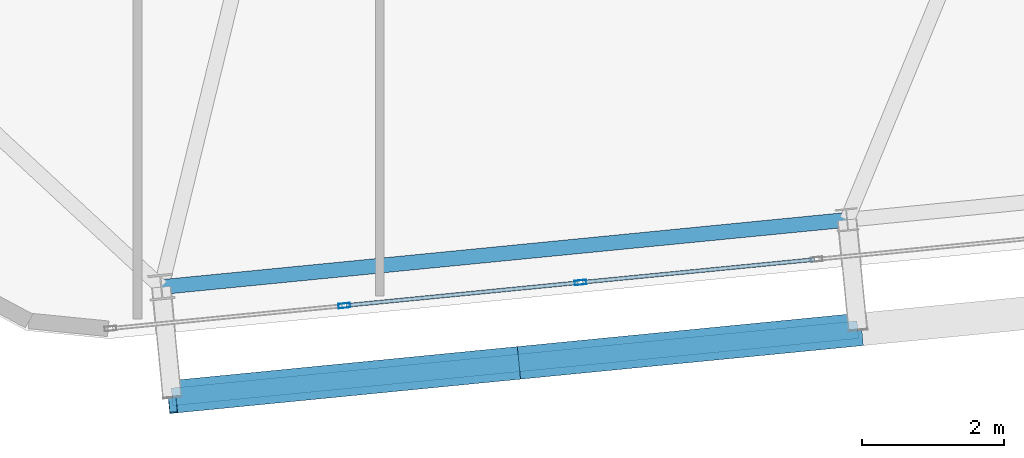
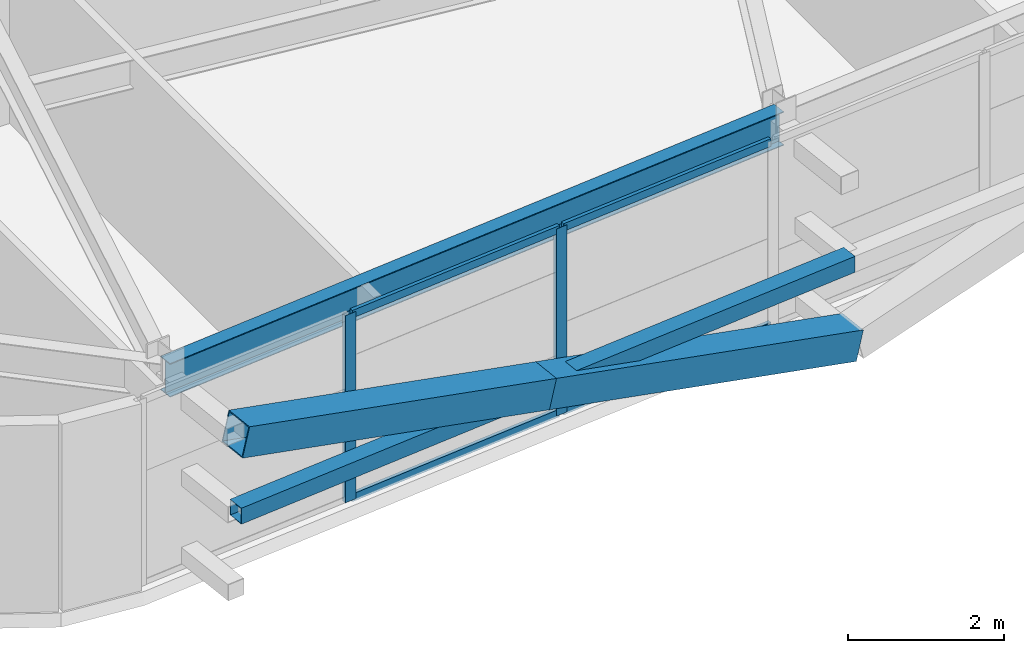
# One storey, part 6 of 52: 9 members, 1 beam, 1 element without a shape of its own.
"""IFC4 building model written with IfcOpenShell, lengths in metres."""

from ifc_helpers import new_model, si_unit, direction, frame, origin, origin_2d, place, context, subcontext, project, spatial, hollow_rectangle, i_section, extrude, source, transform, mapped, material, layer, layer_set, material_profile, profile_set, type_object, element, aggregate, save


model = new_model("IFC4")

# Units and contexts
model_context = context("Model", 3, precision=1e-05, world=origin(), true_north=direction((0.0, 1.0)))
body_context = subcontext(model_context, "Body", "Model", "MODEL_VIEW")
ifc_project = project(units=[si_unit("LENGTHUNIT", "METRE"), si_unit("AREAUNIT", "SQUARE_METRE"), si_unit("VOLUMEUNIT", "CUBIC_METRE"), si_unit("PLANEANGLEUNIT", "RADIAN"), si_unit("MASSUNIT", "GRAM", prefix="KILO")], contexts=[model_context])

# Site, building, storey
site_placement = place(None, origin())
site = spatial("IfcSite", under=ifc_project, at=site_placement, CompositionType="ELEMENT")
building_placement = place(site_placement, origin())
building = spatial("IfcBuilding", under=site, at=building_placement, Name="Taldren Reach Tower", CompositionType="ELEMENT")
storey_placement = place(building_placement, frame((0.0, 0.0, 96.60009765625)))
storey = spatial("IfcBuildingStorey", under=building, at=storey_placement, Name="L29", CompositionType="ELEMENT", Elevation=96.60009765625)

# Beam
ifc_material_1 = material(Name="Steel Gr 350 (350PLUS)", Category="steel")
ifc_material_profile_1 = material_profile(ifc_material_1, i_section(OverallWidth=0.208984375, OverallDepth=0.528076171875, WebThickness=0.009521484375, FlangeThickness=0.01318359375, at=origin_2d()), Name="530UB82.0")
ifc_profile_set_1 = profile_set([ifc_material_profile_1], Name="Steel Gr 350 (350PLUS)")
beam_type = type_object("IfcBeamType", Name="SP-UB530B", PredefinedType="SPANDREL", material=ifc_profile_set_1)
shared_shape_1 = source(origin(), body_context, "Body", "SweptSolid", [
    extrude(i_section(OverallWidth=0.208984375, OverallDepth=0.528076171875, WebThickness=0.009521484375, FlangeThickness=0.01318359375, at=origin_2d()), origin(), (0.0, 0.0, 1.0), 9.679931640625),
])
beam_placement = place(storey_placement, frame((14.93408203125, -0.079833984375, 2.666015625), z_axis=(0.995227612658, 0.097580730699, 0.0), x_axis=(-0.097580730699, 0.995227612658, 0.0)))
element("IfcBeam", 1, at=beam_placement, inside=storey, type_object=beam_type, Name="Perimeter spandrel B2 S1-S2 L29", PredefinedType="SPANDREL", context=body_context, shape_type="MappedRepresentation", body=[
    mapped(shared_shape_1, transform((0.0, 0.0, 0.0), scale=1.0)),
])

# Members
ifc_material_2 = material(Name="Steel Gr 450 (C450L0)", Category="steel")
ifc_material_profile_2 = material_profile(ifc_material_2, hollow_rectangle(XDim=0.4599609375, YDim=0.4599609375, WallThickness=0.01611328125, at=origin_2d()), Name="460x460x16.0SHS")
ifc_profile_set_2 = profile_set([ifc_material_profile_2], Name="Steel Gr 450 (C450L0)")
member_type_1 = type_object("IfcMemberType", Name="MB-EXO457", PredefinedType="BRACE", material=ifc_profile_set_2)
shared_shape_2 = source(origin(), body_context, "Body", "SweptSolid", [
    extrude(hollow_rectangle(XDim=0.4599609375, YDim=0.4599609375, WallThickness=0.01611328125, at=origin_2d()), origin(), (0.0, 0.0, 1.0), 4.990234375),
])
for number, where, z_axis, x_axis, name in (
    (2, (24.71923828125, -0.677978515625, 0.219970703125), (-0.965287024526, -0.094620633828, 0.24344998652), (0.097555749586, -0.995230061706, 0.0), "Exoskeleton Diagrid Brace B2-S1 L29"),
    (3, (19.90234375, -1.150146484375, 1.434814453125), (-0.965271056716, -0.094667992638, 0.243494883389), (0.097605711627, -0.995225162995, 0.0), "Exoskeleton Diagrid Brace B2-S1 L29"),
):
    element("IfcMember", number, at=place(storey_placement, frame(where, z_axis=z_axis, x_axis=x_axis)), inside=storey, type_object=member_type_1, Name=name, PredefinedType="BRACE", context=body_context, shape_type="MappedRepresentation", body=[
        mapped(shared_shape_2, transform((0.0, 0.0, 0.0), scale=1.0)),
    ])
ifc_material_3 = material(Name="Steel Gr 350 (C350L0)", Category="steel")
ifc_material_profile_3 = material_profile(ifc_material_3, hollow_rectangle(XDim=0.25, YDim=0.25, WallThickness=0.010009765625, at=origin_2d()), Name="250x250x10.0SHS")
ifc_profile_set_3 = profile_set([ifc_material_profile_3], Name="Steel Gr 350 (C350L0)")
member_type_2 = type_object("IfcMemberType", Name="MB-POST250", PredefinedType="POST", material=ifc_profile_set_3)
shared_shape_3 = source(origin(), body_context, "Body", "SweptSolid", [
    extrude(hollow_rectangle(XDim=0.25, YDim=0.25, WallThickness=0.010009765625, at=origin_2d()), origin(), (0.0, 0.0, 1.0), 9.679931640625),
])
member_1_placement = place(storey_placement, frame((15.08544921875, -1.62255859375, 1.434814453125), z_axis=(0.995227612658, 0.097580730699, 0.0), x_axis=(-0.097580730699, 0.995227612658, 0.0)))
element("IfcMember", 4, at=member_1_placement, inside=storey, type_object=member_type_2, Name="Exoskeleton mid-height ring chord B2-S1 L29", PredefinedType="POST", context=body_context, shape_type="MappedRepresentation", body=[
    mapped(shared_shape_3, transform((0.0, 0.0, 0.0), scale=1.0)),
])

# Curtain wall, members
ifc_material_4 = material(Name="Aluminium and Low-E Glass Unitised System", Category="aluminium")
ifc_layer = layer(ifc_material_4, 0.159912109375)
ifc_layer_set = layer_set([ifc_layer], Name="Aluminium and Low-E Glass Unitised System")
curtain_wall_type = type_object("IfcCurtainWallType", Name="CW-SYS-3", PredefinedType="NOTDEFINED", material=ifc_layer_set)
curtain_wall_placement = place(storey_placement, origin())
curtain_wall = element("IfcCurtainWall", 5, at=curtain_wall_placement, inside=storey, type_object=curtain_wall_type, Name="Unitised curtain wall CW-L29-S", PredefinedType="NOTDEFINED")
ifc_material_5 = material(Name="Anodised Aluminium 6063-T6", Category="aluminium")
ifc_material_profile_4 = material_profile(ifc_material_5, hollow_rectangle(XDim=0.06494140625, YDim=0.1650390625, WallThickness=0.00390625, at=origin_2d()), Name="ALU-165x65x4RHS")
ifc_profile_set_4 = profile_set([ifc_material_profile_4], Name="Anodised Aluminium 6063-T6")
member_type_3 = type_object("IfcMemberType", Name="CW-MUL-165", PredefinedType="MULLION", material=ifc_profile_set_4)
shared_shape_4 = source(origin(), body_context, "Body", "SweptSolid", [
    extrude(hollow_rectangle(XDim=0.06494140625, YDim=0.1650390625, WallThickness=0.00390625, at=origin_2d()), origin(), (0.0, 0.0, 1.0), 2.929931640625),
])
member_2_placement = place(storey_placement, frame((17.505126953125, -0.34033203125, 0.0), z_axis=(0.0, 0.0, 1.0), x_axis=(-0.097582999046, 0.995227390247, 0.0)))
member_2 = element("IfcMember", 6, at=member_2_placement, type_object=member_type_3, Name="CW-3 mullion 2", PredefinedType="MULLION", context=body_context, shape_type="MappedRepresentation", body=[
    mapped(shared_shape_4, transform((0.0, 0.0, 0.0), scale=1.0)),
])
member_3_placement = place(storey_placement, frame((20.822509765625, -0.014892578125, 0.0), z_axis=(0.0, 0.0, 1.0), x_axis=(-0.097582999046, 0.995227390247, 0.0)))
member_3 = element("IfcMember", 7, at=member_3_placement, type_object=member_type_3, Name="CW-3 mullion 3", PredefinedType="MULLION", context=body_context, shape_type="MappedRepresentation", body=[
    mapped(shared_shape_4, transform((0.0, 0.0, 0.0), scale=1.0)),
])
ifc_material_profile_5 = material_profile(ifc_material_5, hollow_rectangle(XDim=0.054931640625, YDim=0.1201171875, WallThickness=0.0029296875, at=origin_2d()), Name="ALU-120x55x3RHS")
ifc_profile_set_5 = profile_set([ifc_material_profile_5], Name="Anodised Aluminium 6063-T6")
member_type_4 = type_object("IfcMemberType", Name="CW-TRN-135", PredefinedType="USERDEFINED", material=ifc_profile_set_5)
shared_shape_5 = source(origin(), body_context, "Body", "SweptSolid", [
    extrude(hollow_rectangle(XDim=0.054931640625, YDim=0.1201171875, WallThickness=0.0029296875, at=origin_2d()), origin(), (0.0, 0.0, 1.0), 3.268310546875),
])
member_4_placement = place(storey_placement, frame((17.53759765625, -0.337158203125, 0.02734375), z_axis=(0.995222549564, 0.097632355496, 0.0), x_axis=(-0.097632355496, 0.995222549564, 0.0)))
member_4 = element("IfcMember", 8, at=member_4_placement, type_object=member_type_4, Name="CW-3 transom 2.1", ObjectType="TRANSOM", PredefinedType="USERDEFINED", context=body_context, shape_type="MappedRepresentation", body=[
    mapped(shared_shape_5, transform((0.0, 0.0, 0.0), scale=1.0)),
])
member_5_placement = place(storey_placement, frame((17.53759765625, -0.337158203125, 2.90234375), z_axis=(0.995222549564, 0.097632355496, 0.0), x_axis=(-0.097632355496, 0.995222549564, 0.0)))
member_5 = element("IfcMember", 9, at=member_5_placement, type_object=member_type_4, Name="CW-3 transom 2.2", ObjectType="TRANSOM", PredefinedType="USERDEFINED", context=body_context, shape_type="MappedRepresentation", body=[
    mapped(shared_shape_5, transform((0.0, 0.0, 0.0), scale=1.0)),
])
member_6_placement = place(storey_placement, frame((20.85498046875, -0.01171875, 0.02734375), z_axis=(0.99522980512, 0.097558367146, 0.0), x_axis=(-0.097558367146, 0.99522980512, 0.0)))
member_6 = element("IfcMember", 10, at=member_6_placement, type_object=member_type_4, Name="CW-3 transom 3.1", ObjectType="TRANSOM", PredefinedType="USERDEFINED", context=body_context, shape_type="MappedRepresentation", body=[
    mapped(shared_shape_5, transform((0.0, 0.0, 0.0), scale=1.0)),
])
member_7_placement = place(storey_placement, frame((20.85498046875, -0.01171875, 2.90234375), z_axis=(0.99522980512, 0.097558367146, 0.0), x_axis=(-0.097558367146, 0.99522980512, 0.0)))
member_7 = element("IfcMember", 11, at=member_7_placement, type_object=member_type_4, Name="CW-3 transom 3.2", ObjectType="TRANSOM", PredefinedType="USERDEFINED", context=body_context, shape_type="MappedRepresentation", body=[
    mapped(shared_shape_5, transform((0.0, 0.0, 0.0), scale=1.0)),
])
aggregate(curtain_wall, [member_2, member_3, member_4, member_5, member_6, member_7])

save(model, "model.ifc")
